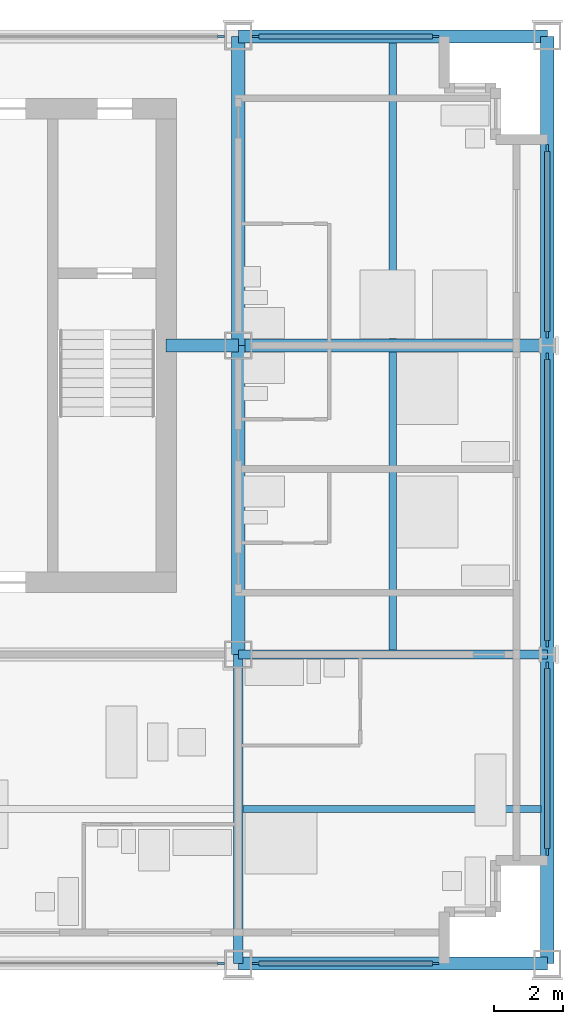
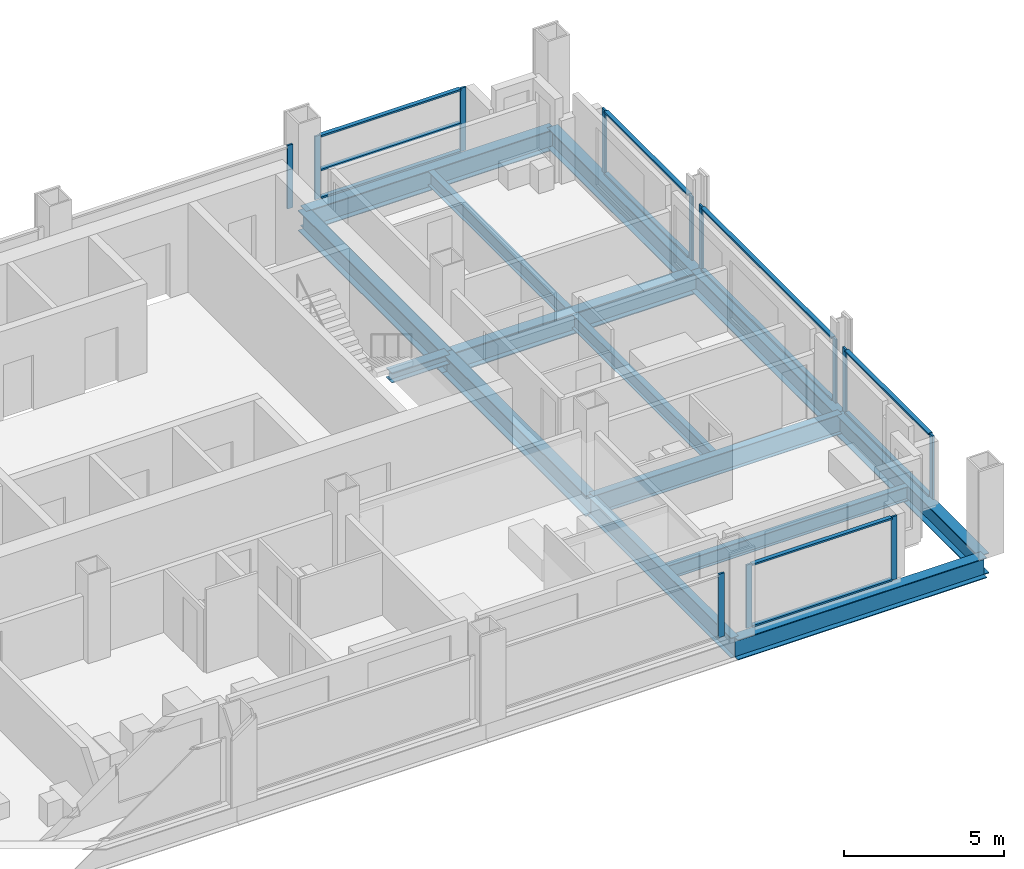
# One storey, part 5 of 13: 24 members, 13 beams, 7 elements without a shape of their own.
"""IFC4 building model written with IfcOpenShell, lengths in metres."""

from ifc_helpers import new_model, si_unit, direction, frame, origin, origin_2d, place, context, subcontext, project, spatial, rectangle, i_section, extrude, material, material_profile, profile_set, type_object, element, aggregate, save


model = new_model("IFC4")

# Units and contexts
model_context = context("Model", 3, precision=1e-05, world=origin(), true_north=direction((0.0, 1.0)))
body_context = subcontext(model_context, "Body", "Model", "MODEL_VIEW")
ifc_project = project(units=[si_unit("LENGTHUNIT", "METRE"), si_unit("AREAUNIT", "SQUARE_METRE"), si_unit("VOLUMEUNIT", "CUBIC_METRE"), si_unit("PLANEANGLEUNIT", "RADIAN"), si_unit("MASSUNIT", "GRAM", prefix="KILO")], contexts=[model_context])

# Site, building, storey
site_placement = place(None, origin())
site = spatial("IfcSite", under=ifc_project, at=site_placement, CompositionType="ELEMENT")
building_placement = place(site_placement, origin())
building = spatial("IfcBuilding", under=site, at=building_placement, Name="Loomwork Tower", CompositionType="ELEMENT")
storey_placement = place(building_placement, frame((0.0, 0.0, 194.39990234375)))
storey = spatial("IfcBuildingStorey", under=building, at=storey_placement, Name="L53", CompositionType="ELEMENT", Elevation=194.39990234375)

# Beams
ifc_material_1 = material(Name="Steel ASTM A992", Category="steel")
ifc_material_profile_1 = material_profile(ifc_material_1, i_section(OverallWidth=0.383544921875, OverallDepth=0.794921875, WebThickness=0.02099609375, FlangeThickness=0.0380859375, at=origin_2d()), Name="W30x235")
ifc_profile_set_1 = profile_set([ifc_material_profile_1], Name="Steel ASTM A992")
beam_type_1 = type_object("IfcBeamType", Name="CORE FLANK GIRDER W30x235", PredefinedType="BEAM", material=ifc_profile_set_1)
for number, where, z_axis, x_axis, name in (
    (1, (36.0, 18.0, -0.597412109375), (1.0, 0.0, 0.0), (0.0, 1.0, 0.0), "Core Flank Girder F/6-F/7 L53"),
    (2, (36.0, 9.0, -0.597412109375), (0.0, 1.0, 0.0), (-1.0, 0.0, 0.0), "Core Flank Girder E/6-F/6 L53"),
    (3, (36.0, 18.0, -0.597412109375), (0.0, 1.0, 0.0), (-1.0, 0.0, 0.0), "Core Flank Girder F/6-G/6 L53"),
):
    element("IfcBeam", number, at=place(storey_placement, frame(where, z_axis=z_axis, x_axis=x_axis)), inside=storey, type_object=beam_type_1, Name=name, PredefinedType="BEAM", context=body_context, shape_type="SweptSolid", body=[
        extrude(i_section(OverallWidth=0.383544921875, OverallDepth=0.794921875, WebThickness=0.02099609375, FlangeThickness=0.0380859375, at=origin_2d()), origin(), (0.0, 0.0, 1.0), 9.0),
    ])

# Member
ifc_material_2 = material(Name="Steel ASTM A992", Category="steel")
ifc_material_profile_2 = material_profile(ifc_material_2, i_section(OverallWidth=0.373291015625, OverallDepth=0.373291015625, WebThickness=0.016357421875, FlangeThickness=0.026123046875, at=origin_2d()), Name="W14x132")
ifc_profile_set_2 = profile_set([ifc_material_profile_2], Name="Steel ASTM A992")
member_type_1 = type_object("IfcMemberType", Name="CORE LINK STRUT W14x132", PredefinedType="STRUT", material=ifc_profile_set_2)
member_1_placement = place(storey_placement, frame((36.0, 18.0, -0.386474609375), z_axis=(-1.0, 0.0, 0.0), x_axis=(0.0, -1.0, 0.0)))
element("IfcMember", 4, at=member_1_placement, inside=storey, type_object=member_type_1, Name="Core link strut F/6-33.900,18.000 L53", PredefinedType="STRUT", context=body_context, shape_type="SweptSolid", body=[
    extrude(i_section(OverallWidth=0.373291015625, OverallDepth=0.373291015625, WebThickness=0.016357421875, FlangeThickness=0.026123046875, at=origin_2d()), origin(), (0.0, 0.0, 1.0), 2.10009765625),
])

# Beams
ifc_material_3 = material(Name="Steel ASTM A992", Category="steel")
ifc_material_profile_3 = material_profile(ifc_material_3, i_section(OverallWidth=0.2666015625, OverallDepth=0.761962890625, WebThickness=0.014404296875, FlangeThickness=0.021484375, at=origin_2d()), Name="W30x116")
ifc_profile_set_3 = profile_set([ifc_material_profile_3], Name="Steel ASTM A992")
beam_type_2 = type_object("IfcBeamType", Name="FLOOR GIRDER W30x116", PredefinedType="BEAM", material=ifc_profile_set_3)
for number, where, z_axis, x_axis, name in (
    (5, (36.0, 9.0, -0.580810546875), (1.0, 0.0, 0.0), (0.0, 1.0, 0.0), "Floor Girder E/6-E/7 L53"),
    (6, (36.0, 0.0, -0.580810546875), (0.0, 1.0, 0.0), (-1.0, 0.0, 0.0), "Floor Girder D/6-E/6 L53"),
):
    element("IfcBeam", number, at=place(storey_placement, frame(where, z_axis=z_axis, x_axis=x_axis)), inside=storey, type_object=beam_type_2, Name=name, PredefinedType="BEAM", context=body_context, shape_type="SweptSolid", body=[
        extrude(i_section(OverallWidth=0.2666015625, OverallDepth=0.761962890625, WebThickness=0.014404296875, FlangeThickness=0.021484375, at=origin_2d()), origin(), (0.0, 0.0, 1.0), 9.0),
    ])
ifc_material_4 = material(Name="Steel ASTM A992", Category="steel")
ifc_material_profile_4 = material_profile(ifc_material_4, i_section(OverallWidth=0.2109375, OverallDepth=0.53857421875, WebThickness=0.011474609375, FlangeThickness=0.018798828125, at=origin_2d()), Name="W21x73")
ifc_profile_set_4 = profile_set([ifc_material_profile_4], Name="Steel ASTM A992")
beam_type_3 = type_object("IfcBeamType", Name="FLOOR JOIST W21x73", PredefinedType="JOIST", material=ifc_profile_set_4)
beam_1_placement = place(storey_placement, frame((36.133056640625, 4.5, -0.46923828125), z_axis=(1.0, 0.0, 0.0), x_axis=(0.0, 1.0, 0.0)))
element("IfcBeam", 7, at=beam_1_placement, inside=storey, type_object=beam_type_3, Name="Floor Joist 36.000,4.500-45.000,4.500 L53", PredefinedType="JOIST", context=body_context, shape_type="SweptSolid", body=[
    extrude(i_section(OverallWidth=0.2109375, OverallDepth=0.53857421875, WebThickness=0.011474609375, FlangeThickness=0.018798828125, at=origin_2d()), origin(), (0.0, 0.0, 1.0), 8.677001953125),
])
beam_2_placement = place(storey_placement, frame((40.5, 9.133056640625, -0.46923828125), z_axis=(0.0, 1.0, 0.0), x_axis=(-1.0, 0.0, 0.0)))
element("IfcBeam", 8, at=beam_2_placement, inside=storey, type_object=beam_type_3, Name="Floor Joist 40.500,9.000-40.500,18.000 L53", PredefinedType="JOIST", context=body_context, shape_type="SweptSolid", body=[
    extrude(i_section(OverallWidth=0.2109375, OverallDepth=0.53857421875, WebThickness=0.011474609375, FlangeThickness=0.018798828125, at=origin_2d()), origin(), (0.0, 0.0, 1.0), 8.676025390625),
])
beam_3_placement = place(storey_placement, frame((40.5, 18.19091796875, -0.46923828125), z_axis=(0.0, 1.0, 0.0), x_axis=(-1.0, 0.0, 0.0)))
element("IfcBeam", 9, at=beam_3_placement, inside=storey, type_object=beam_type_3, Name="Floor Joist 40.500,18.000-40.500,27.000 L53", PredefinedType="JOIST", context=body_context, shape_type="SweptSolid", body=[
    extrude(i_section(OverallWidth=0.2109375, OverallDepth=0.53857421875, WebThickness=0.011474609375, FlangeThickness=0.018798828125, at=origin_2d()), origin(), (0.0, 0.0, 1.0), 8.619140625),
])

# Curtain wall, member
ifc_material_5 = material(Name="Aluminium curtain wall frame", Category="aluminium")
curtain_wall_type_1 = type_object("IfcCurtainWallType", Name="Outer skin glazing hotel", PredefinedType="NOTDEFINED", material=ifc_material_5)
curtain_wall_1_placement = place(storey_placement, origin())
curtain_wall_1 = element("IfcCurtainWall", 10, at=curtain_wall_1_placement, inside=storey, type_object=curtain_wall_type_1, Name="Outer skin glazing hotel cw/S-27", PredefinedType="NOTDEFINED")
ifc_material_6 = material(Name="Aluminium curtain wall frame", Category="aluminium")
ifc_material_profile_5 = material_profile(ifc_material_6, rectangle(XDim=0.06494140625, YDim=0.199951171875, at=origin_2d()), Name="AL 65x200")
ifc_profile_set_5 = profile_set([ifc_material_profile_5], Name="Aluminium curtain wall frame")
member_type_2 = type_object("IfcMemberType", Name="Outer skin glazing hotel mullion", PredefinedType="MULLION", material=ifc_profile_set_5)
member_2_placement = place(storey_placement, frame((35.5, 0.0, 0.0), z_axis=(0.0, 0.0, 1.0), x_axis=(0.0, 1.0, 0.0)))
member_2 = element("IfcMember", 11, at=member_2_placement, type_object=member_type_2, Name="CW1 mullion 2", PredefinedType="MULLION", context=body_context, shape_type="SweptSolid", body=[
    extrude(rectangle(XDim=0.06494140625, YDim=0.199951171875, at=origin_2d()), origin(), (0.0, 0.0, 1.0), 2.42041015625),
])
aggregate(curtain_wall_1, [member_2])

# Curtain wall, members
curtain_wall_2_placement = place(storey_placement, origin())
curtain_wall_2 = element("IfcCurtainWall", 12, at=curtain_wall_2_placement, inside=storey, type_object=curtain_wall_type_1, Name="Outer skin glazing hotel cw/S-36", PredefinedType="NOTDEFINED")
member_3_placement = place(storey_placement, frame((36.5, 0.0, 0.0), z_axis=(0.0, 0.0, 1.0), x_axis=(0.0, 1.0, 0.0)))
member_3 = element("IfcMember", 13, at=member_3_placement, type_object=member_type_2, Name="CW1 mullion 1", PredefinedType="MULLION", context=body_context, shape_type="SweptSolid", body=[
    extrude(rectangle(XDim=0.06494140625, YDim=0.199951171875, at=origin_2d()), origin(), (0.0, 0.0, 1.0), 2.42041015625),
])
member_4_placement = place(storey_placement, frame((41.75, 0.0, 0.0), z_axis=(0.0, 0.0, 1.0), x_axis=(0.0, 1.0, 0.0)))
member_4 = element("IfcMember", 14, at=member_4_placement, type_object=member_type_2, Name="CW1 mullion 2", PredefinedType="MULLION", context=body_context, shape_type="SweptSolid", body=[
    extrude(rectangle(XDim=0.06494140625, YDim=0.199951171875, at=origin_2d()), origin(), (0.0, 0.0, 1.0), 2.42041015625),
])

curtain_wall_3_placement = place(storey_placement, origin())
curtain_wall_3 = element("IfcCurtainWall", 15, at=curtain_wall_3_placement, inside=storey, type_object=curtain_wall_type_1, Name="Outer skin glazing hotel cw/E-0", PredefinedType="NOTDEFINED")
member_5_placement = place(storey_placement, frame((45.0, 3.25, 0.0), z_axis=(0.0, 0.0, 1.0), x_axis=(-1.0, 0.0, 0.0)))
member_5 = element("IfcMember", 16, at=member_5_placement, type_object=member_type_2, Name="CW1 mullion 1", PredefinedType="MULLION", context=body_context, shape_type="SweptSolid", body=[
    extrude(rectangle(XDim=0.06494140625, YDim=0.199951171875, at=origin_2d()), origin(), (0.0, 0.0, 1.0), 2.42041015625),
])
member_6_placement = place(storey_placement, frame((45.0, 8.6865234375, 0.0), z_axis=(0.0, 0.0, 1.0), x_axis=(-1.0, 0.0, 0.0)))
member_6 = element("IfcMember", 17, at=member_6_placement, type_object=member_type_2, Name="CW1 mullion 2", PredefinedType="MULLION", context=body_context, shape_type="SweptSolid", body=[
    extrude(rectangle(XDim=0.06494140625, YDim=0.199951171875, at=origin_2d()), origin(), (0.0, 0.0, 1.0), 2.42041015625),
])

curtain_wall_4_placement = place(storey_placement, origin())
curtain_wall_4 = element("IfcCurtainWall", 18, at=curtain_wall_4_placement, inside=storey, type_object=curtain_wall_type_1, Name="Outer skin glazing hotel cw/E-9", PredefinedType="NOTDEFINED")
member_7_placement = place(storey_placement, frame((45.0, 9.3134765625, 0.0), z_axis=(0.0, 0.0, 1.0), x_axis=(-1.0, 0.0, 0.0)))
member_7 = element("IfcMember", 19, at=member_7_placement, type_object=member_type_2, Name="CW1 mullion 1", PredefinedType="MULLION", context=body_context, shape_type="SweptSolid", body=[
    extrude(rectangle(XDim=0.06494140625, YDim=0.199951171875, at=origin_2d()), origin(), (0.0, 0.0, 1.0), 2.42041015625),
])
member_8_placement = place(storey_placement, frame((45.0, 17.6865234375, 0.0), z_axis=(0.0, 0.0, 1.0), x_axis=(-1.0, 0.0, 0.0)))
member_8 = element("IfcMember", 20, at=member_8_placement, type_object=member_type_2, Name="CW1 mullion 2", PredefinedType="MULLION", context=body_context, shape_type="SweptSolid", body=[
    extrude(rectangle(XDim=0.06494140625, YDim=0.199951171875, at=origin_2d()), origin(), (0.0, 0.0, 1.0), 2.42041015625),
])

curtain_wall_5_placement = place(storey_placement, origin())
curtain_wall_5 = element("IfcCurtainWall", 21, at=curtain_wall_5_placement, inside=storey, type_object=curtain_wall_type_1, Name="Outer skin glazing hotel cw/E-18", PredefinedType="NOTDEFINED")
member_9_placement = place(storey_placement, frame((45.0, 18.3134765625, 0.0), z_axis=(0.0, 0.0, 1.0), x_axis=(-1.0, 0.0, 0.0)))
member_9 = element("IfcMember", 22, at=member_9_placement, type_object=member_type_2, Name="CW1 mullion 1", PredefinedType="MULLION", context=body_context, shape_type="SweptSolid", body=[
    extrude(rectangle(XDim=0.06494140625, YDim=0.199951171875, at=origin_2d()), origin(), (0.0, 0.0, 1.0), 2.42041015625),
])
member_10_placement = place(storey_placement, frame((45.0, 23.75, 0.0), z_axis=(0.0, 0.0, 1.0), x_axis=(-1.0, 0.0, 0.0)))
member_10 = element("IfcMember", 23, at=member_10_placement, type_object=member_type_2, Name="CW1 mullion 2", PredefinedType="MULLION", context=body_context, shape_type="SweptSolid", body=[
    extrude(rectangle(XDim=0.06494140625, YDim=0.199951171875, at=origin_2d()), origin(), (0.0, 0.0, 1.0), 2.42041015625),
])

# Member
ifc_material_7 = material(Name="Aluminium curtain wall frame", Category="aluminium")
ifc_material_profile_6 = material_profile(ifc_material_7, rectangle(XDim=0.14990234375, YDim=0.06494140625, at=origin_2d()), Name="AL 65x150")
ifc_profile_set_6 = profile_set([ifc_material_profile_6], Name="Aluminium curtain wall frame")
member_type_3 = type_object("IfcMemberType", Name="Outer skin glazing hotel transom", PredefinedType="USERDEFINED", material=ifc_profile_set_6)
member_11_placement = place(storey_placement, frame((36.60009765625, 0.0, 0.03271484375), z_axis=(1.0, 0.0, 0.0), x_axis=(0.0, 1.0, 0.0)))
member_11 = element("IfcMember", 24, at=member_11_placement, type_object=member_type_3, Name="CW1 transom 1.1", ObjectType="TRANSOM", PredefinedType="USERDEFINED", context=body_context, shape_type="SweptSolid", body=[
    extrude(rectangle(XDim=0.14990234375, YDim=0.06494140625, at=origin_2d()), origin(), (0.0, 0.0, 1.0), 5.0498046875),
])

member_12_placement = place(storey_placement, frame((36.60009765625, 0.0, 2.3876953125), z_axis=(1.0, 0.0, 0.0), x_axis=(0.0, 1.0, 0.0)))
member_12 = element("IfcMember", 25, at=member_12_placement, type_object=member_type_3, Name="CW1 transom 1.2", ObjectType="TRANSOM", PredefinedType="USERDEFINED", context=body_context, shape_type="SweptSolid", body=[
    extrude(rectangle(XDim=0.14990234375, YDim=0.06494140625, at=origin_2d()), origin(), (0.0, 0.0, 1.0), 5.0498046875),
])

aggregate(curtain_wall_2, [member_3, member_4, member_11, member_12])

member_13_placement = place(storey_placement, frame((45.0, 3.35009765625, 0.03271484375), z_axis=(0.0, 1.0, 0.0), x_axis=(-1.0, 0.0, 0.0)))
member_13 = element("IfcMember", 26, at=member_13_placement, type_object=member_type_3, Name="CW1 transom 1.1", ObjectType="TRANSOM", PredefinedType="USERDEFINED", context=body_context, shape_type="SweptSolid", body=[
    extrude(rectangle(XDim=0.14990234375, YDim=0.06494140625, at=origin_2d()), origin(), (0.0, 0.0, 1.0), 5.236572265625),
])

member_14_placement = place(storey_placement, frame((45.0, 3.35009765625, 2.3876953125), z_axis=(0.0, 1.0, 0.0), x_axis=(-1.0, 0.0, 0.0)))
member_14 = element("IfcMember", 27, at=member_14_placement, type_object=member_type_3, Name="CW1 transom 1.2", ObjectType="TRANSOM", PredefinedType="USERDEFINED", context=body_context, shape_type="SweptSolid", body=[
    extrude(rectangle(XDim=0.14990234375, YDim=0.06494140625, at=origin_2d()), origin(), (0.0, 0.0, 1.0), 5.236572265625),
])

aggregate(curtain_wall_3, [member_5, member_6, member_13, member_14])

member_15_placement = place(storey_placement, frame((45.0, 9.413330078125, 0.03271484375), z_axis=(0.0, 1.0, 0.0), x_axis=(-1.0, 0.0, 0.0)))
member_15 = element("IfcMember", 28, at=member_15_placement, type_object=member_type_3, Name="CW1 transom 1.1", ObjectType="TRANSOM", PredefinedType="USERDEFINED", context=body_context, shape_type="SweptSolid", body=[
    extrude(rectangle(XDim=0.14990234375, YDim=0.06494140625, at=origin_2d()), origin(), (0.0, 0.0, 1.0), 8.17333984375),
])

member_16_placement = place(storey_placement, frame((45.0, 9.413330078125, 2.3876953125), z_axis=(0.0, 1.0, 0.0), x_axis=(-1.0, 0.0, 0.0)))
member_16 = element("IfcMember", 29, at=member_16_placement, type_object=member_type_3, Name="CW1 transom 1.2", ObjectType="TRANSOM", PredefinedType="USERDEFINED", context=body_context, shape_type="SweptSolid", body=[
    extrude(rectangle(XDim=0.14990234375, YDim=0.06494140625, at=origin_2d()), origin(), (0.0, 0.0, 1.0), 8.17333984375),
])

aggregate(curtain_wall_4, [member_7, member_8, member_15, member_16])

member_17_placement = place(storey_placement, frame((45.0, 18.413330078125, 0.03271484375), z_axis=(0.0, 1.0, 0.0), x_axis=(-1.0, 0.0, 0.0)))
member_17 = element("IfcMember", 30, at=member_17_placement, type_object=member_type_3, Name="CW1 transom 1.1", ObjectType="TRANSOM", PredefinedType="USERDEFINED", context=body_context, shape_type="SweptSolid", body=[
    extrude(rectangle(XDim=0.14990234375, YDim=0.06494140625, at=origin_2d()), origin(), (0.0, 0.0, 1.0), 5.236572265625),
])

member_18_placement = place(storey_placement, frame((45.0, 18.413330078125, 2.3876953125), z_axis=(0.0, 1.0, 0.0), x_axis=(-1.0, 0.0, 0.0)))
member_18 = element("IfcMember", 31, at=member_18_placement, type_object=member_type_3, Name="CW1 transom 1.2", ObjectType="TRANSOM", PredefinedType="USERDEFINED", context=body_context, shape_type="SweptSolid", body=[
    extrude(rectangle(XDim=0.14990234375, YDim=0.06494140625, at=origin_2d()), origin(), (0.0, 0.0, 1.0), 5.236572265625),
])

aggregate(curtain_wall_5, [member_9, member_10, member_17, member_18])

# Beams
ifc_material_8 = material(Name="Steel ASTM A992", Category="steel")
ifc_material_profile_7 = material_profile(ifc_material_8, i_section(OverallWidth=0.381103515625, OverallDepth=0.77978515625, WebThickness=0.01806640625, FlangeThickness=0.0302734375, at=origin_2d()), Name="W30x191")
ifc_profile_set_7 = profile_set([ifc_material_profile_7], Name="Steel ASTM A992")
beam_type_4 = type_object("IfcBeamType", Name="SPANDREL GIRDER W30x191", PredefinedType="SPANDREL", material=ifc_profile_set_7)
for number, where, z_axis, x_axis, name in (
    (32, (36.0, 0.0, -0.58984375), (1.0, 0.0, 0.0), (0.0, 1.0, 0.0), "Spandrel Girder D/6-D/7 L53"),
    (33, (36.0, 27.0, -0.58984375), (1.0, 0.0, 0.0), (0.0, 1.0, 0.0), "Spandrel Girder G/6-G/7 L53"),
    (34, (45.0, 0.0, -0.58984375), (0.0, 1.0, 0.0), (-1.0, 0.0, 0.0), "Spandrel Girder D/7-E/7 L53"),
    (35, (45.0, 9.0, -0.58984375), (0.0, 1.0, 0.0), (-1.0, 0.0, 0.0), "Spandrel Girder E/7-F/7 L53"),
    (36, (45.0, 18.0, -0.58984375), (0.0, 1.0, 0.0), (-1.0, 0.0, 0.0), "Spandrel Girder F/7-G/7 L53"),
):
    element("IfcBeam", number, at=place(storey_placement, frame(where, z_axis=z_axis, x_axis=x_axis)), inside=storey, type_object=beam_type_4, Name=name, PredefinedType="SPANDREL", context=body_context, shape_type="SweptSolid", body=[
        extrude(i_section(OverallWidth=0.381103515625, OverallDepth=0.77978515625, WebThickness=0.01806640625, FlangeThickness=0.0302734375, at=origin_2d()), origin(), (0.0, 0.0, 1.0), 9.0),
    ])

# Curtain wall, member
ifc_material_9 = material(Name="Aluminium curtain wall frame", Category="aluminium")
curtain_wall_type_2 = type_object("IfcCurtainWallType", Name="Single skin glazing corridor", PredefinedType="NOTDEFINED", material=ifc_material_9)
curtain_wall_6_placement = place(storey_placement, origin())
curtain_wall_6 = element("IfcCurtainWall", 37, at=curtain_wall_6_placement, inside=storey, type_object=curtain_wall_type_2, Name="Single skin glazing corridor cw/N-27", PredefinedType="NOTDEFINED")
ifc_material_10 = material(Name="Aluminium curtain wall frame", Category="aluminium")
ifc_material_profile_8 = material_profile(ifc_material_10, rectangle(XDim=0.06494140625, YDim=0.199951171875, at=origin_2d()), Name="AL 65x200")
ifc_profile_set_8 = profile_set([ifc_material_profile_8], Name="Aluminium curtain wall frame")
member_type_4 = type_object("IfcMemberType", Name="Single skin glazing corridor mullion", PredefinedType="MULLION", material=ifc_profile_set_8)
member_19_placement = place(storey_placement, frame((35.5, 27.0, 0.0), z_axis=(0.0, 0.0, 1.0), x_axis=(0.0, -1.0, 0.0)))
member_19 = element("IfcMember", 38, at=member_19_placement, type_object=member_type_4, Name="CW3 mullion 1", PredefinedType="MULLION", context=body_context, shape_type="SweptSolid", body=[
    extrude(rectangle(XDim=0.06494140625, YDim=0.199951171875, at=origin_2d()), origin(), (0.0, 0.0, 1.0), 2.42041015625),
])
aggregate(curtain_wall_6, [member_19])

# Curtain wall, members
curtain_wall_7_placement = place(storey_placement, origin())
curtain_wall_7 = element("IfcCurtainWall", 39, at=curtain_wall_7_placement, inside=storey, type_object=curtain_wall_type_2, Name="Single skin glazing corridor cw/N-36", PredefinedType="NOTDEFINED")
member_20_placement = place(storey_placement, frame((41.75, 27.0, 0.0), z_axis=(0.0, 0.0, 1.0), x_axis=(0.0, -1.0, 0.0)))
member_20 = element("IfcMember", 40, at=member_20_placement, type_object=member_type_4, Name="CW3 mullion 1", PredefinedType="MULLION", context=body_context, shape_type="SweptSolid", body=[
    extrude(rectangle(XDim=0.06494140625, YDim=0.199951171875, at=origin_2d()), origin(), (0.0, 0.0, 1.0), 2.42041015625),
])
member_21_placement = place(storey_placement, frame((36.5, 27.0, 0.0), z_axis=(0.0, 0.0, 1.0), x_axis=(0.0, -1.0, 0.0)))
member_21 = element("IfcMember", 41, at=member_21_placement, type_object=member_type_4, Name="CW3 mullion 2", PredefinedType="MULLION", context=body_context, shape_type="SweptSolid", body=[
    extrude(rectangle(XDim=0.06494140625, YDim=0.199951171875, at=origin_2d()), origin(), (0.0, 0.0, 1.0), 2.42041015625),
])
ifc_material_11 = material(Name="Aluminium curtain wall frame", Category="aluminium")
ifc_material_profile_9 = material_profile(ifc_material_11, rectangle(XDim=0.14990234375, YDim=0.06494140625, at=origin_2d()), Name="AL 65x150")
ifc_profile_set_9 = profile_set([ifc_material_profile_9], Name="Aluminium curtain wall frame")
member_type_5 = type_object("IfcMemberType", Name="Single skin glazing corridor transom", PredefinedType="USERDEFINED", material=ifc_profile_set_9)
member_22_placement = place(storey_placement, frame((41.64990234375, 27.0, 0.03271484375), z_axis=(-1.0, 0.0, 0.0), x_axis=(0.0, -1.0, 0.0)))
member_22 = element("IfcMember", 42, at=member_22_placement, type_object=member_type_5, Name="CW3 transom 1.1", ObjectType="TRANSOM", PredefinedType="USERDEFINED", context=body_context, shape_type="SweptSolid", body=[
    extrude(rectangle(XDim=0.14990234375, YDim=0.06494140625, at=origin_2d()), origin(), (0.0, 0.0, 1.0), 5.0498046875),
])
member_23_placement = place(storey_placement, frame((41.64990234375, 27.0, 1.10009765625), z_axis=(-1.0, 0.0, 0.0), x_axis=(0.0, -1.0, 0.0)))
member_23 = element("IfcMember", 43, at=member_23_placement, type_object=member_type_5, Name="CW3 transom 1.2", ObjectType="TRANSOM", PredefinedType="USERDEFINED", context=body_context, shape_type="SweptSolid", body=[
    extrude(rectangle(XDim=0.14990234375, YDim=0.06494140625, at=origin_2d()), origin(), (0.0, 0.0, 1.0), 5.0498046875),
])
member_24_placement = place(storey_placement, frame((41.64990234375, 27.0, 2.3876953125), z_axis=(-1.0, 0.0, 0.0), x_axis=(0.0, -1.0, 0.0)))
member_24 = element("IfcMember", 44, at=member_24_placement, type_object=member_type_5, Name="CW3 transom 1.3", ObjectType="TRANSOM", PredefinedType="USERDEFINED", context=body_context, shape_type="SweptSolid", body=[
    extrude(rectangle(XDim=0.14990234375, YDim=0.06494140625, at=origin_2d()), origin(), (0.0, 0.0, 1.0), 5.0498046875),
])
aggregate(curtain_wall_7, [member_20, member_21, member_22, member_23, member_24])

save(model, "model.ifc")
